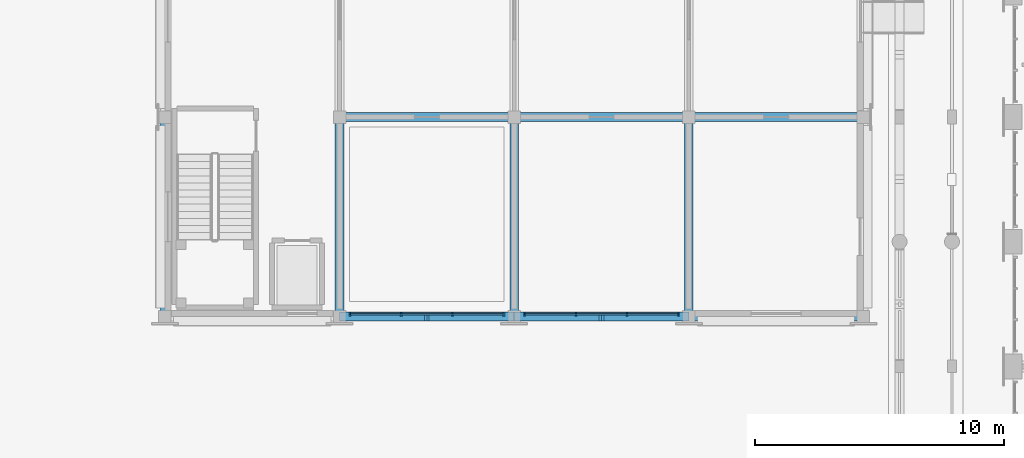
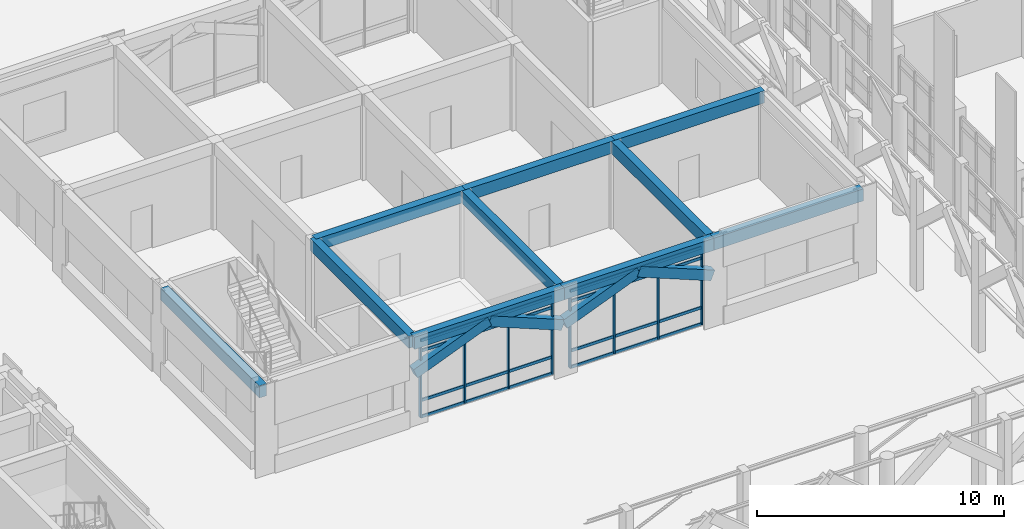
# One storey, part 23 of 135: 16 members, 14 beams, 2 elements without a shape of their own.
"""IFC4 building model written with IfcOpenShell, lengths in metres."""

import ifcopenshell
import ifcopenshell.guid

model = None  # the IFC model being written
_history = None  # IfcOwnerHistory: only IFC2X3 demands one
_inside = {}  # id of a spatial element -> (the spatial element, [elements in it])
_under = {}  # id of a project, library or spatial element -> (it, [spatial elements below it])
_declared = {}  # id of a project -> (the project, [libraries it declares])
_typed = {}  # id of a type object -> (the type object, [elements of that type])
_made_of = {}  # id of a material, layer set ... -> (it, [elements and type objects made of it])


def new_model(schema):
    """Start an empty IFC model of exactly this schema.

    Asked for "IFC4X3", IfcOpenShell would pick the latest addendum, in which some entities
    have other attributes; the version numbers below select the first issue.
    IFC2X3 requires an IfcOwnerHistory on every rooted entity: one is made here for all.
    """
    global model, _history
    if schema == "IFC4X3":
        model = ifcopenshell.file(schema_version=(4, 3, 0, 0))
    else:
        model = ifcopenshell.file(schema=schema)
    _inside.clear()
    _under.clear()
    _declared.clear()
    _typed.clear()
    _made_of.clear()
    _history = None
    if model.schema == "IFC2X3":
        org = make("IfcOrganization", Name="unknown")
        user = make(
            "IfcPersonAndOrganization",
            ThePerson=make("IfcPerson", FamilyName="unknown"),
            TheOrganization=org,
        )
        app = make(
            "IfcApplication",
            ApplicationDeveloper=org,
            Version="unknown",
            ApplicationFullName="unknown",
            ApplicationIdentifier="unknown",
        )
        _history = make(
            "IfcOwnerHistory",
            OwningUser=user,
            OwningApplication=app,
            ChangeAction="ADDED",
            CreationDate=0,
        )
    return model


def make(cls, **values):
    """One entity of the class cls with the attributes given. An attribute that is None is left unset."""
    return model.create_entity(
        cls, **{name: value for name, value in values.items() if value is not None}
    )


def rooted(cls, **values):
    """An entity with a GlobalId (a new one), such as an element, a storey or a relation."""
    return make(cls, GlobalId=ifcopenshell.guid.new(), OwnerHistory=_history, **values)


def si_unit(unit_type, name, prefix=None):
    """IfcSIUnit, for example si_unit("LENGTHUNIT", "METRE", prefix="MILLI")."""
    return make("IfcSIUnit", UnitType=unit_type, Prefix=prefix, Name=name)


def assignment(units):
    """IfcUnitAssignment: the units of a project."""
    return None if units is None else make("IfcUnitAssignment", Units=units)


def point(xyz):
    """IfcCartesianPoint."""
    return None if xyz is None else make("IfcCartesianPoint", Coordinates=xyz)


def direction(xyz):
    """IfcDirection."""
    return None if xyz is None else make("IfcDirection", DirectionRatios=xyz)


def frame(location, z_axis=None, x_axis=None):
    """IfcAxis2Placement3D, a coordinate frame: its origin and axes. An axis left out is left unset."""
    return make(
        "IfcAxis2Placement3D",
        Location=point(location),
        Axis=direction(z_axis),
        RefDirection=direction(x_axis),
    )


def frame_2d(location, x_axis=None):
    """IfcAxis2Placement2D, a coordinate frame in the plane: its origin and x axis."""
    return make(
        "IfcAxis2Placement2D", Location=point(location), RefDirection=direction(x_axis)
    )


def origin():
    """The frame at (0, 0, 0) with its axes left unset."""
    return frame((0.0, 0.0, 0.0))


def origin_2d():
    """The frame at (0, 0) in the plane with its x axis left unset."""
    return frame_2d((0.0, 0.0))


def place(relative_to, where):
    """IfcLocalPlacement: puts the frame where relative to a parent placement (None: the world)."""
    return make(
        "IfcLocalPlacement", PlacementRelTo=relative_to, RelativePlacement=where
    )


def context(
    kind, dimensions, precision=None, world=None, true_north=None, identifier=None
):
    """IfcGeometricRepresentationContext, for example the 3D "Model" context."""
    return make(
        "IfcGeometricRepresentationContext",
        ContextIdentifier=identifier,
        ContextType=kind,
        CoordinateSpaceDimension=dimensions,
        Precision=precision,
        WorldCoordinateSystem=world,
        TrueNorth=true_north,
    )


def subcontext(parent, identifier, kind, view, scale=None):
    """IfcGeometricRepresentationSubContext, for example "Body" below "Model"."""
    return make(
        "IfcGeometricRepresentationSubContext",
        ContextIdentifier=identifier,
        ContextType=kind,
        ParentContext=parent,
        TargetScale=scale,
        TargetView=view,
    )


def project(units=None, contexts=None):
    """IfcProject with its units and contexts."""
    return rooted(
        "IfcProject",
        Name="project",
        RepresentationContexts=contexts,
        UnitsInContext=assignment(units),
    )


def spatial(cls, under=None, at=None, **own):
    """A site, building, storey or space (cls), placed at a placement, below another one or the project."""
    s = rooted(cls, ObjectPlacement=at, **own)
    if under is not None:
        _under.setdefault(under.id(), (under, []))[1].append(s)
    return s


def profile(cls, at=None, kind="AREA", **sizes):
    """A parametric profile (cls). Its sizes go by their IFC names, for example OverallWidth=200.0."""
    return make(cls, ProfileType=kind, Position=at, **sizes)


def rectangle(**sizes):
    """IfcRectangleProfileDef."""
    return profile("IfcRectangleProfileDef", **sizes)


def extrude(swept, where, along, depth):
    """IfcExtrudedAreaSolid: the profile swept, set in the frame where, extruded along a direction by depth."""
    return make(
        "IfcExtrudedAreaSolid",
        SweptArea=swept,
        Position=where,
        ExtrudedDirection=direction(along),
        Depth=depth,
    )


def shape(context_of_items, identifier, shape_type, items):
    """IfcShapeRepresentation: the items that make up one representation, for example the "Body"."""
    return make(
        "IfcShapeRepresentation",
        ContextOfItems=context_of_items,
        RepresentationIdentifier=identifier,
        RepresentationType=shape_type,
        Items=items,
    )


def material(Name=None, Category=None):
    """IfcMaterial."""
    return make("IfcMaterial", Name=Name, Category=Category)


def material_profile(
    of_material, cross_section, Name=None, Category=None, Priority=None
):
    """IfcMaterialProfile: a cross section and its material."""
    return make(
        "IfcMaterialProfile",
        Name=Name,
        Material=of_material,
        Profile=cross_section,
        Priority=Priority,
        Category=Category,
    )


def profile_set(profiles, Name=None, composite=None):
    """IfcMaterialProfileSet."""
    return make(
        "IfcMaterialProfileSet",
        Name=Name,
        MaterialProfiles=profiles,
        CompositeProfile=composite,
    )


def made_of(thing, what):
    """Note that an element or type object is made of a material, layer set ...; save() writes the relation."""
    if what is not None:
        _made_of.setdefault(what.id(), (what, []))[1].append(thing)
    return thing


def type_object(cls, material=None, **own):
    """A type object (cls), such as IfcWallType, which elements share."""
    return made_of(rooted(cls, **own), material)


def element(
    cls,
    number,
    at=None,
    inside=None,
    cuts=None,
    type_object=None,
    material=None,
    context=None,
    identifier="Body",
    shape_type=None,
    held_by="IfcProductDefinitionShape",
    body=None,
    shapes=None,
    **own,
):
    """One element of the class cls, such as IfcWall. Its Tag is "e" and its number.

    at: its placement. inside: the storey or other place that contains it. cuts: it is an
    opening in that element (IfcRelVoidsElement). A single representation is given by context,
    identifier, shape_type and body (its items); several are given by shapes. held_by: the class
    of the entity that holds the representations. save() writes the other relations.
    """
    e = rooted(cls, Tag="e%d" % number, ObjectPlacement=at, **own)
    if body is not None:
        shapes = [shape(context, identifier, shape_type, body)]
    if shapes is not None:
        e.Representation = make(held_by, Representations=shapes)
    if inside is not None:
        _inside.setdefault(inside.id(), (inside, []))[1].append(e)
    if cuts is not None:
        rooted(
            "IfcRelVoidsElement", RelatingBuildingElement=cuts, RelatedOpeningElement=e
        )
    if type_object is not None:
        _typed.setdefault(type_object.id(), (type_object, []))[1].append(e)
    return made_of(e, material)


def aggregate(whole, parts):
    """IfcRelAggregates: a whole, such as a stair, and the parts it consists of."""
    return rooted("IfcRelAggregates", RelatingObject=whole, RelatedObjects=parts)


def save(model, path):
    """Write the relations noted so far, then the file.

    IfcRelAggregates (storeys below a building ...), IfcRelContainedInSpatialStructure (elements
    in a storey), IfcRelDefinesByType, IfcRelAssociatesMaterial and IfcRelDeclares: one each for
    every whole, place, type object, material and project.
    """
    for whole, parts in _under.values():
        aggregate(whole, parts)
    for where, things in _inside.values():
        rooted(
            "IfcRelContainedInSpatialStructure",
            RelatedElements=things,
            RelatingStructure=where,
        )
    for kind, things in _typed.values():
        rooted("IfcRelDefinesByType", RelatedObjects=things, RelatingType=kind)
    for what, things in _made_of.values():
        rooted("IfcRelAssociatesMaterial", RelatedObjects=things, RelatingMaterial=what)
    for by, libraries in _declared.values():
        rooted("IfcRelDeclares", RelatingContext=by, RelatedDefinitions=libraries)
    model.write(path)


model = new_model("IFC4")

# Units and contexts
model_context = context("Model", 3, precision=1e-05, world=origin(), true_north=direction((0.0, 1.0)))
body_context = subcontext(model_context, "Body", "Model", "MODEL_VIEW")
ifc_project = project(units=[si_unit("LENGTHUNIT", "METRE"), si_unit("AREAUNIT", "SQUARE_METRE"), si_unit("VOLUMEUNIT", "CUBIC_METRE"), si_unit("PLANEANGLEUNIT", "RADIAN"), si_unit("MASSUNIT", "GRAM", prefix="KILO")], contexts=[model_context])

# Site, building, storey
site_placement = place(None, origin())
site = spatial("IfcSite", under=ifc_project, at=site_placement, CompositionType="ELEMENT")
building_placement = place(site_placement, origin())
building = spatial("IfcBuilding", under=site, at=building_placement, Name="Kiranvali Square Residences", CompositionType="ELEMENT")
storey_placement = place(building_placement, origin())
storey = spatial("IfcBuildingStorey", under=building, at=storey_placement, Name="L00", CompositionType="ELEMENT", Elevation=0.0)

# Beams
ifc_material_1 = material(Name="Concrete M40 (40 MPa)", Category="concrete")
ifc_material_profile_1 = material_profile(ifc_material_1, rectangle(XDim=0.35009765625, YDim=0.5, at=origin_2d()), Name="RC 350x500")
ifc_profile_set_1 = profile_set([ifc_material_profile_1], Name="Concrete M40 (40 MPa)")
beam_type_1 = type_object("IfcBeamType", Name="AR-M40-350x500", PredefinedType="USERDEFINED", material=ifc_profile_set_1)
for number, where, z_axis, x_axis, name in (
    (1, (45.0400390625, 56.0, 2.449951171875), (0.926976058065, 0.0, 0.375120497672), (0.0, 1.0, 0.0), "Classical pointed Ottoman arch rib ARCH-NR-S0-1.1"),
    (2, (48.5, 56.0, 3.85009765625), (0.926976058065, 0.0, -0.375120497672), (0.0, 1.0, 0.0), "Classical pointed Ottoman arch rib ARCH-NR-S0-1.2"),
    (3, (52.0400390625, 56.0, 2.449951171875), (0.926976058065, 0.0, 0.375120497672), (0.0, 1.0, 0.0), "Classical pointed Ottoman arch rib ARCH-NR-S0-2.1"),
    (4, (55.5, 56.0, 3.85009765625), (0.926976058065, 0.0, -0.375120497672), (0.0, 1.0, 0.0), "Classical pointed Ottoman arch rib ARCH-NR-S0-2.2"),
):
    element("IfcBeam", number, at=place(storey_placement, frame(where, z_axis=z_axis, x_axis=x_axis)), inside=storey, type_object=beam_type_1, Name=name, ObjectType="ARCH RIB", PredefinedType="USERDEFINED", context=body_context, shape_type="SweptSolid", body=[
        extrude(rectangle(XDim=0.35009765625, YDim=0.5, at=origin_2d()), origin(), (0.0, 0.0, 1.0), 3.732421875),
    ])
ifc_material_profile_2 = material_profile(ifc_material_1, rectangle(XDim=0.35009765625, YDim=0.60009765625, at=origin_2d()), Name="RC 350x600")
ifc_profile_set_2 = profile_set([ifc_material_profile_2], Name="Concrete M40 (40 MPa)")
beam_type_2 = type_object("IfcBeamType", Name="BM-M40-350x600", PredefinedType="BEAM", material=ifc_profile_set_2)
for number, where, z_axis, x_axis, name in (
    (5, (45.0, 56.0, 3.97998046875), (1.0, 0.0, 0.0), (0.0, 1.0, 0.0), "L00 beam BM-NR-L00-X1-0"),
    (6, (52.0, 56.0, 3.97998046875), (1.0, 0.0, 0.0), (0.0, 1.0, 0.0), "L00 beam BM-NR-L00-X2-0"),
    (7, (59.0, 56.0, 3.97998046875), (1.0, 0.0, 0.0), (0.0, 1.0, 0.0), "L00 beam BM-NR-L00-X3-0"),
    (8, (45.0, 64.0, 3.97998046875), (1.0, 0.0, 0.0), (0.0, 1.0, 0.0), "L00 beam BM-NR-L00-X1-1"),
    (9, (52.0, 64.0, 3.97998046875), (1.0, 0.0, 0.0), (0.0, 1.0, 0.0), "L00 beam BM-NR-L00-X2-1"),
    (10, (59.0, 64.0, 3.97998046875), (1.0, 0.0, 0.0), (0.0, 1.0, 0.0), "L00 beam BM-NR-L00-X3-1"),
):
    element("IfcBeam", number, at=place(storey_placement, frame(where, z_axis=z_axis, x_axis=x_axis)), inside=storey, type_object=beam_type_2, Name=name, PredefinedType="BEAM", context=body_context, shape_type="SweptSolid", body=[
        extrude(rectangle(XDim=0.35009765625, YDim=0.60009765625, at=origin_2d()), origin(), (0.0, 0.0, 1.0), 7.0),
    ])
for number, where, z_axis, x_axis, name in (
    (11, (38.0, 56.0, 3.97998046875), (0.0, 1.0, 0.0), (-1.0, 0.0, 0.0), "L00 beam BM-NR-L00-Y0-0"),
    (12, (45.0, 56.0, 3.97998046875), (0.0, 1.0, 0.0), (-1.0, 0.0, 0.0), "L00 beam BM-NR-L00-Y1-0"),
    (13, (52.0, 56.0, 3.97998046875), (0.0, 1.0, 0.0), (-1.0, 0.0, 0.0), "L00 beam BM-NR-L00-Y2-0"),
    (14, (59.0, 56.0, 3.97998046875), (0.0, 1.0, 0.0), (-1.0, 0.0, 0.0), "L00 beam BM-NR-L00-Y3-0"),
):
    element("IfcBeam", number, at=place(storey_placement, frame(where, z_axis=z_axis, x_axis=x_axis)), inside=storey, type_object=beam_type_2, Name=name, PredefinedType="BEAM", context=body_context, shape_type="SweptSolid", body=[
        extrude(rectangle(XDim=0.35009765625, YDim=0.60009765625, at=origin_2d()), origin(), (0.0, 0.0, 1.0), 8.0),
    ])

# Curtain wall, members
ifc_material_2 = material(Name="Anodised bronze aluminium framing", Category="aluminium")
curtain_wall_type = type_object("IfcCurtainWallType", Name="CW-PAV-GLZ", PredefinedType="USERDEFINED", material=ifc_material_2)
curtain_wall_1_placement = place(storey_placement, origin())
curtain_wall_1 = element("IfcCurtainWall", 15, at=curtain_wall_1_placement, inside=storey, type_object=curtain_wall_type, Name="Nursery Pavilion south arcade curtain wall 2", ObjectType="CURTAIN WALL", PredefinedType="USERDEFINED")
ifc_material_profile_3 = material_profile(ifc_material_2, rectangle(XDim=0.06494140625, YDim=0.159912109375, at=origin_2d()), Name="ALU 65x160")
ifc_profile_set_3 = profile_set([ifc_material_profile_3], Name="Anodised bronze aluminium framing")
member_type_1 = type_object("IfcMemberType", Name="CW-MUL-160", PredefinedType="MULLION", material=ifc_profile_set_3)
member_1_placement = place(storey_placement, frame((45.419921875, 56.10009765625, 0.02001953125), z_axis=(0.0, 0.0, 1.0), x_axis=(1.0, 0.0, 0.0)))
member_1 = element("IfcMember", 16, at=member_1_placement, type_object=member_type_1, Name="CW-NR-S0-1 vertical mullion 1", PredefinedType="MULLION", context=body_context, shape_type="SweptSolid", body=[
    extrude(rectangle(XDim=0.06494140625, YDim=0.159912109375, at=origin_2d()), origin(), (0.0, 0.0, 1.0), 3.81005859375),
])
member_2_placement = place(storey_placement, frame((47.473388671875, 56.10009765625, 0.02001953125), z_axis=(0.0, 0.0, 1.0), x_axis=(1.0, 0.0, 0.0)))
member_2 = element("IfcMember", 17, at=member_2_placement, type_object=member_type_1, Name="CW-NR-S0-1 vertical mullion 2", PredefinedType="MULLION", context=body_context, shape_type="SweptSolid", body=[
    extrude(rectangle(XDim=0.06494140625, YDim=0.159912109375, at=origin_2d()), origin(), (0.0, 0.0, 1.0), 3.81005859375),
])
member_3_placement = place(storey_placement, frame((49.526611328125, 56.10009765625, 0.02001953125), z_axis=(0.0, 0.0, 1.0), x_axis=(1.0, 0.0, 0.0)))
member_3 = element("IfcMember", 18, at=member_3_placement, type_object=member_type_1, Name="CW-NR-S0-1 vertical mullion 3", PredefinedType="MULLION", context=body_context, shape_type="SweptSolid", body=[
    extrude(rectangle(XDim=0.06494140625, YDim=0.159912109375, at=origin_2d()), origin(), (0.0, 0.0, 1.0), 3.81005859375),
])
member_4_placement = place(storey_placement, frame((51.580078125, 56.10009765625, 0.02001953125), z_axis=(0.0, 0.0, 1.0), x_axis=(1.0, 0.0, 0.0)))
member_4 = element("IfcMember", 19, at=member_4_placement, type_object=member_type_1, Name="CW-NR-S0-1 vertical mullion 4", PredefinedType="MULLION", context=body_context, shape_type="SweptSolid", body=[
    extrude(rectangle(XDim=0.06494140625, YDim=0.159912109375, at=origin_2d()), origin(), (0.0, 0.0, 1.0), 3.81005859375),
])

curtain_wall_2_placement = place(storey_placement, origin())
curtain_wall_2 = element("IfcCurtainWall", 20, at=curtain_wall_2_placement, inside=storey, type_object=curtain_wall_type, Name="Nursery Pavilion south arcade curtain wall 3", ObjectType="CURTAIN WALL", PredefinedType="USERDEFINED")
member_5_placement = place(storey_placement, frame((52.419921875, 56.10009765625, 0.02001953125), z_axis=(0.0, 0.0, 1.0), x_axis=(1.0, 0.0, 0.0)))
member_5 = element("IfcMember", 21, at=member_5_placement, type_object=member_type_1, Name="CW-NR-S0-2 vertical mullion 1", PredefinedType="MULLION", context=body_context, shape_type="SweptSolid", body=[
    extrude(rectangle(XDim=0.06494140625, YDim=0.159912109375, at=origin_2d()), origin(), (0.0, 0.0, 1.0), 3.81005859375),
])
member_6_placement = place(storey_placement, frame((54.473388671875, 56.10009765625, 0.02001953125), z_axis=(0.0, 0.0, 1.0), x_axis=(1.0, 0.0, 0.0)))
member_6 = element("IfcMember", 22, at=member_6_placement, type_object=member_type_1, Name="CW-NR-S0-2 vertical mullion 2", PredefinedType="MULLION", context=body_context, shape_type="SweptSolid", body=[
    extrude(rectangle(XDim=0.06494140625, YDim=0.159912109375, at=origin_2d()), origin(), (0.0, 0.0, 1.0), 3.81005859375),
])
member_7_placement = place(storey_placement, frame((56.526611328125, 56.10009765625, 0.02001953125), z_axis=(0.0, 0.0, 1.0), x_axis=(1.0, 0.0, 0.0)))
member_7 = element("IfcMember", 23, at=member_7_placement, type_object=member_type_1, Name="CW-NR-S0-2 vertical mullion 3", PredefinedType="MULLION", context=body_context, shape_type="SweptSolid", body=[
    extrude(rectangle(XDim=0.06494140625, YDim=0.159912109375, at=origin_2d()), origin(), (0.0, 0.0, 1.0), 3.81005859375),
])
member_8_placement = place(storey_placement, frame((58.580078125, 56.10009765625, 0.02001953125), z_axis=(0.0, 0.0, 1.0), x_axis=(1.0, 0.0, 0.0)))
member_8 = element("IfcMember", 24, at=member_8_placement, type_object=member_type_1, Name="CW-NR-S0-2 vertical mullion 4", PredefinedType="MULLION", context=body_context, shape_type="SweptSolid", body=[
    extrude(rectangle(XDim=0.06494140625, YDim=0.159912109375, at=origin_2d()), origin(), (0.0, 0.0, 1.0), 3.81005859375),
])

# Member
ifc_material_profile_4 = material_profile(ifc_material_2, rectangle(XDim=0.06494140625, YDim=0.139892578125, at=origin_2d()), Name="ALU 65x140")
ifc_profile_set_4 = profile_set([ifc_material_profile_4], Name="Anodised bronze aluminium framing")
member_type_2 = type_object("IfcMemberType", Name="CW-TRN-140", PredefinedType="MULLION", material=ifc_profile_set_4)
member_9_placement = place(storey_placement, frame((45.429931640625, 56.10009765625, 0.0400390625), z_axis=(1.0, 0.0, 0.0), x_axis=(0.0, 1.0, 0.0)))
member_9 = element("IfcMember", 25, at=member_9_placement, type_object=member_type_2, Name="CW-NR-S0-1 horizontal transom 1", PredefinedType="MULLION", context=body_context, shape_type="SweptSolid", body=[
    extrude(rectangle(XDim=0.06494140625, YDim=0.139892578125, at=origin_2d()), origin(), (0.0, 0.0, 1.0), 6.14013671875),
])

member_10_placement = place(storey_placement, frame((45.429931640625, 56.10009765625, 0.85009765625), z_axis=(1.0, 0.0, 0.0), x_axis=(0.0, 1.0, 0.0)))
member_10 = element("IfcMember", 26, at=member_10_placement, type_object=member_type_2, Name="CW-NR-S0-1 horizontal transom 2", PredefinedType="MULLION", context=body_context, shape_type="SweptSolid", body=[
    extrude(rectangle(XDim=0.06494140625, YDim=0.139892578125, at=origin_2d()), origin(), (0.0, 0.0, 1.0), 6.14013671875),
])

member_11_placement = place(storey_placement, frame((45.429931640625, 56.10009765625, 3.300048828125), z_axis=(1.0, 0.0, 0.0), x_axis=(0.0, 1.0, 0.0)))
member_11 = element("IfcMember", 27, at=member_11_placement, type_object=member_type_2, Name="CW-NR-S0-1 horizontal transom 3", PredefinedType="MULLION", context=body_context, shape_type="SweptSolid", body=[
    extrude(rectangle(XDim=0.06494140625, YDim=0.139892578125, at=origin_2d()), origin(), (0.0, 0.0, 1.0), 6.14013671875),
])

member_12_placement = place(storey_placement, frame((45.429931640625, 56.10009765625, 3.81005859375), z_axis=(1.0, 0.0, 0.0), x_axis=(0.0, 1.0, 0.0)))
member_12 = element("IfcMember", 28, at=member_12_placement, type_object=member_type_2, Name="CW-NR-S0-1 horizontal transom 4", PredefinedType="MULLION", context=body_context, shape_type="SweptSolid", body=[
    extrude(rectangle(XDim=0.06494140625, YDim=0.139892578125, at=origin_2d()), origin(), (0.0, 0.0, 1.0), 6.14013671875),
])

aggregate(curtain_wall_1, [member_1, member_2, member_3, member_4, member_9, member_10, member_11, member_12])

member_13_placement = place(storey_placement, frame((52.429931640625, 56.10009765625, 0.0400390625), z_axis=(1.0, 0.0, 0.0), x_axis=(0.0, 1.0, 0.0)))
member_13 = element("IfcMember", 29, at=member_13_placement, type_object=member_type_2, Name="CW-NR-S0-2 horizontal transom 1", PredefinedType="MULLION", context=body_context, shape_type="SweptSolid", body=[
    extrude(rectangle(XDim=0.06494140625, YDim=0.139892578125, at=origin_2d()), origin(), (0.0, 0.0, 1.0), 6.14013671875),
])

member_14_placement = place(storey_placement, frame((52.429931640625, 56.10009765625, 0.85009765625), z_axis=(1.0, 0.0, 0.0), x_axis=(0.0, 1.0, 0.0)))
member_14 = element("IfcMember", 30, at=member_14_placement, type_object=member_type_2, Name="CW-NR-S0-2 horizontal transom 2", PredefinedType="MULLION", context=body_context, shape_type="SweptSolid", body=[
    extrude(rectangle(XDim=0.06494140625, YDim=0.139892578125, at=origin_2d()), origin(), (0.0, 0.0, 1.0), 6.14013671875),
])

member_15_placement = place(storey_placement, frame((52.429931640625, 56.10009765625, 3.300048828125), z_axis=(1.0, 0.0, 0.0), x_axis=(0.0, 1.0, 0.0)))
member_15 = element("IfcMember", 31, at=member_15_placement, type_object=member_type_2, Name="CW-NR-S0-2 horizontal transom 3", PredefinedType="MULLION", context=body_context, shape_type="SweptSolid", body=[
    extrude(rectangle(XDim=0.06494140625, YDim=0.139892578125, at=origin_2d()), origin(), (0.0, 0.0, 1.0), 6.14013671875),
])

member_16_placement = place(storey_placement, frame((52.429931640625, 56.10009765625, 3.81005859375), z_axis=(1.0, 0.0, 0.0), x_axis=(0.0, 1.0, 0.0)))
member_16 = element("IfcMember", 32, at=member_16_placement, type_object=member_type_2, Name="CW-NR-S0-2 horizontal transom 4", PredefinedType="MULLION", context=body_context, shape_type="SweptSolid", body=[
    extrude(rectangle(XDim=0.06494140625, YDim=0.139892578125, at=origin_2d()), origin(), (0.0, 0.0, 1.0), 6.14013671875),
])

aggregate(curtain_wall_2, [member_5, member_6, member_7, member_8, member_13, member_14, member_15, member_16])

save(model, "model.ifc")
